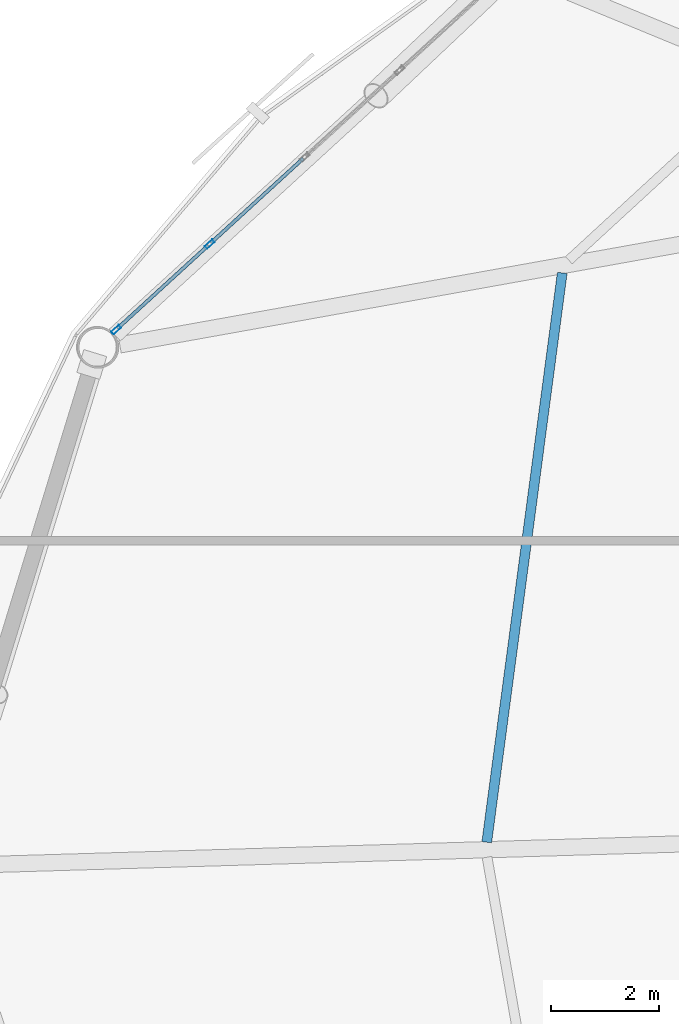
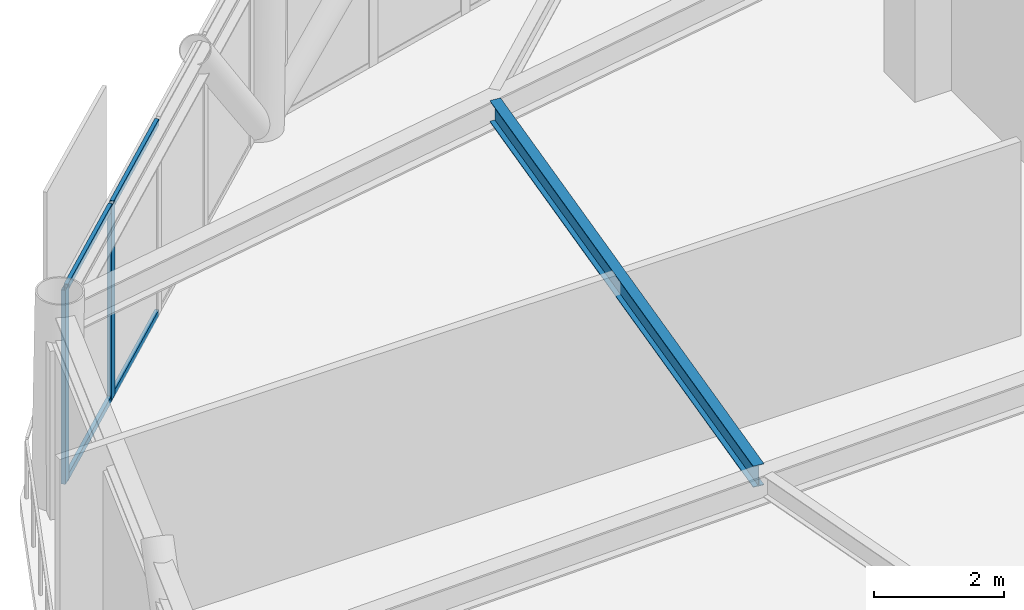
# One storey, part 12 of 27: 6 members, 1 beam, 1 element without a shape of its own.
"""IFC4 building model written with IfcOpenShell, lengths in metres."""

import ifcopenshell
import ifcopenshell.guid

model = None  # the IFC model being written
_history = None  # IfcOwnerHistory: only IFC2X3 demands one
_inside = {}  # id of a spatial element -> (the spatial element, [elements in it])
_under = {}  # id of a project, library or spatial element -> (it, [spatial elements below it])
_declared = {}  # id of a project -> (the project, [libraries it declares])
_typed = {}  # id of a type object -> (the type object, [elements of that type])
_made_of = {}  # id of a material, layer set ... -> (it, [elements and type objects made of it])


def new_model(schema):
    """Start an empty IFC model of exactly this schema.

    Asked for "IFC4X3", IfcOpenShell would pick the latest addendum, in which some entities
    have other attributes; the version numbers below select the first issue.
    IFC2X3 requires an IfcOwnerHistory on every rooted entity: one is made here for all.
    """
    global model, _history
    if schema == "IFC4X3":
        model = ifcopenshell.file(schema_version=(4, 3, 0, 0))
    else:
        model = ifcopenshell.file(schema=schema)
    _inside.clear()
    _under.clear()
    _declared.clear()
    _typed.clear()
    _made_of.clear()
    _history = None
    if model.schema == "IFC2X3":
        org = make("IfcOrganization", Name="unknown")
        user = make(
            "IfcPersonAndOrganization",
            ThePerson=make("IfcPerson", FamilyName="unknown"),
            TheOrganization=org,
        )
        app = make(
            "IfcApplication",
            ApplicationDeveloper=org,
            Version="unknown",
            ApplicationFullName="unknown",
            ApplicationIdentifier="unknown",
        )
        _history = make(
            "IfcOwnerHistory",
            OwningUser=user,
            OwningApplication=app,
            ChangeAction="ADDED",
            CreationDate=0,
        )
    return model


def make(cls, **values):
    """One entity of the class cls with the attributes given. An attribute that is None is left unset."""
    return model.create_entity(
        cls, **{name: value for name, value in values.items() if value is not None}
    )


def rooted(cls, **values):
    """An entity with a GlobalId (a new one), such as an element, a storey or a relation."""
    return make(cls, GlobalId=ifcopenshell.guid.new(), OwnerHistory=_history, **values)


def si_unit(unit_type, name, prefix=None):
    """IfcSIUnit, for example si_unit("LENGTHUNIT", "METRE", prefix="MILLI")."""
    return make("IfcSIUnit", UnitType=unit_type, Prefix=prefix, Name=name)


def assignment(units):
    """IfcUnitAssignment: the units of a project."""
    return None if units is None else make("IfcUnitAssignment", Units=units)


def point(xyz):
    """IfcCartesianPoint."""
    return None if xyz is None else make("IfcCartesianPoint", Coordinates=xyz)


def direction(xyz):
    """IfcDirection."""
    return None if xyz is None else make("IfcDirection", DirectionRatios=xyz)


def frame(location, z_axis=None, x_axis=None):
    """IfcAxis2Placement3D, a coordinate frame: its origin and axes. An axis left out is left unset."""
    return make(
        "IfcAxis2Placement3D",
        Location=point(location),
        Axis=direction(z_axis),
        RefDirection=direction(x_axis),
    )


def frame_2d(location, x_axis=None):
    """IfcAxis2Placement2D, a coordinate frame in the plane: its origin and x axis."""
    return make(
        "IfcAxis2Placement2D", Location=point(location), RefDirection=direction(x_axis)
    )


def origin():
    """The frame at (0, 0, 0) with its axes left unset."""
    return frame((0.0, 0.0, 0.0))


def origin_2d():
    """The frame at (0, 0) in the plane with its x axis left unset."""
    return frame_2d((0.0, 0.0))


def place(relative_to, where):
    """IfcLocalPlacement: puts the frame where relative to a parent placement (None: the world)."""
    return make(
        "IfcLocalPlacement", PlacementRelTo=relative_to, RelativePlacement=where
    )


def context(
    kind, dimensions, precision=None, world=None, true_north=None, identifier=None
):
    """IfcGeometricRepresentationContext, for example the 3D "Model" context."""
    return make(
        "IfcGeometricRepresentationContext",
        ContextIdentifier=identifier,
        ContextType=kind,
        CoordinateSpaceDimension=dimensions,
        Precision=precision,
        WorldCoordinateSystem=world,
        TrueNorth=true_north,
    )


def subcontext(parent, identifier, kind, view, scale=None):
    """IfcGeometricRepresentationSubContext, for example "Body" below "Model"."""
    return make(
        "IfcGeometricRepresentationSubContext",
        ContextIdentifier=identifier,
        ContextType=kind,
        ParentContext=parent,
        TargetScale=scale,
        TargetView=view,
    )


def project(units=None, contexts=None):
    """IfcProject with its units and contexts."""
    return rooted(
        "IfcProject",
        Name="project",
        RepresentationContexts=contexts,
        UnitsInContext=assignment(units),
    )


def spatial(cls, under=None, at=None, **own):
    """A site, building, storey or space (cls), placed at a placement, below another one or the project."""
    s = rooted(cls, ObjectPlacement=at, **own)
    if under is not None:
        _under.setdefault(under.id(), (under, []))[1].append(s)
    return s


def profile(cls, at=None, kind="AREA", **sizes):
    """A parametric profile (cls). Its sizes go by their IFC names, for example OverallWidth=200.0."""
    return make(cls, ProfileType=kind, Position=at, **sizes)


def hollow_rectangle(**sizes):
    """IfcRectangleHollowProfileDef."""
    return profile("IfcRectangleHollowProfileDef", **sizes)


def i_section(**sizes):
    """IfcIShapeProfileDef."""
    return profile("IfcIShapeProfileDef", **sizes)


def extrude(swept, where, along, depth):
    """IfcExtrudedAreaSolid: the profile swept, set in the frame where, extruded along a direction by depth."""
    return make(
        "IfcExtrudedAreaSolid",
        SweptArea=swept,
        Position=where,
        ExtrudedDirection=direction(along),
        Depth=depth,
    )


def shape(context_of_items, identifier, shape_type, items):
    """IfcShapeRepresentation: the items that make up one representation, for example the "Body"."""
    return make(
        "IfcShapeRepresentation",
        ContextOfItems=context_of_items,
        RepresentationIdentifier=identifier,
        RepresentationType=shape_type,
        Items=items,
    )


def material(Name=None, Category=None):
    """IfcMaterial."""
    return make("IfcMaterial", Name=Name, Category=Category)


def layer(
    of_material, thickness, ventilated=None, Name=None, Category=None, Priority=None
):
    """IfcMaterialLayer: one layer of a wall or slab, of a material (None: an air gap)."""
    return make(
        "IfcMaterialLayer",
        Material=of_material,
        LayerThickness=thickness,
        IsVentilated=ventilated,
        Name=Name,
        Category=Category,
        Priority=Priority,
    )


def layer_set(layers, Name=None):
    """IfcMaterialLayerSet."""
    return make("IfcMaterialLayerSet", MaterialLayers=layers, LayerSetName=Name)


def material_profile(
    of_material, cross_section, Name=None, Category=None, Priority=None
):
    """IfcMaterialProfile: a cross section and its material."""
    return make(
        "IfcMaterialProfile",
        Name=Name,
        Material=of_material,
        Profile=cross_section,
        Priority=Priority,
        Category=Category,
    )


def profile_set(profiles, Name=None, composite=None):
    """IfcMaterialProfileSet."""
    return make(
        "IfcMaterialProfileSet",
        Name=Name,
        MaterialProfiles=profiles,
        CompositeProfile=composite,
    )


def made_of(thing, what):
    """Note that an element or type object is made of a material, layer set ...; save() writes the relation."""
    if what is not None:
        _made_of.setdefault(what.id(), (what, []))[1].append(thing)
    return thing


def type_object(cls, material=None, **own):
    """A type object (cls), such as IfcWallType, which elements share."""
    return made_of(rooted(cls, **own), material)


def element(
    cls,
    number,
    at=None,
    inside=None,
    cuts=None,
    type_object=None,
    material=None,
    context=None,
    identifier="Body",
    shape_type=None,
    held_by="IfcProductDefinitionShape",
    body=None,
    shapes=None,
    **own,
):
    """One element of the class cls, such as IfcWall. Its Tag is "e" and its number.

    at: its placement. inside: the storey or other place that contains it. cuts: it is an
    opening in that element (IfcRelVoidsElement). A single representation is given by context,
    identifier, shape_type and body (its items); several are given by shapes. held_by: the class
    of the entity that holds the representations. save() writes the other relations.
    """
    e = rooted(cls, Tag="e%d" % number, ObjectPlacement=at, **own)
    if body is not None:
        shapes = [shape(context, identifier, shape_type, body)]
    if shapes is not None:
        e.Representation = make(held_by, Representations=shapes)
    if inside is not None:
        _inside.setdefault(inside.id(), (inside, []))[1].append(e)
    if cuts is not None:
        rooted(
            "IfcRelVoidsElement", RelatingBuildingElement=cuts, RelatedOpeningElement=e
        )
    if type_object is not None:
        _typed.setdefault(type_object.id(), (type_object, []))[1].append(e)
    return made_of(e, material)


def aggregate(whole, parts):
    """IfcRelAggregates: a whole, such as a stair, and the parts it consists of."""
    return rooted("IfcRelAggregates", RelatingObject=whole, RelatedObjects=parts)


def save(model, path):
    """Write the relations noted so far, then the file.

    IfcRelAggregates (storeys below a building ...), IfcRelContainedInSpatialStructure (elements
    in a storey), IfcRelDefinesByType, IfcRelAssociatesMaterial and IfcRelDeclares: one each for
    every whole, place, type object, material and project.
    """
    for whole, parts in _under.values():
        aggregate(whole, parts)
    for where, things in _inside.values():
        rooted(
            "IfcRelContainedInSpatialStructure",
            RelatedElements=things,
            RelatingStructure=where,
        )
    for kind, things in _typed.values():
        rooted("IfcRelDefinesByType", RelatedObjects=things, RelatingType=kind)
    for what, things in _made_of.values():
        rooted("IfcRelAssociatesMaterial", RelatedObjects=things, RelatingMaterial=what)
    for by, libraries in _declared.values():
        rooted("IfcRelDeclares", RelatingContext=by, RelatedDefinitions=libraries)
    model.write(path)


model = new_model("IFC4")

# Units and contexts
model_context = context("Model", 3, precision=1e-05, world=origin(), true_north=direction((0.0, 1.0)))
body_context = subcontext(model_context, "Body", "Model", "MODEL_VIEW")
ifc_project = project(units=[si_unit("LENGTHUNIT", "METRE"), si_unit("AREAUNIT", "SQUARE_METRE"), si_unit("VOLUMEUNIT", "CUBIC_METRE"), si_unit("PLANEANGLEUNIT", "RADIAN"), si_unit("MASSUNIT", "GRAM", prefix="KILO")], contexts=[model_context])

# Site, building, storey
site_placement = place(None, origin())
site = spatial("IfcSite", under=ifc_project, at=site_placement, CompositionType="ELEMENT")
building_placement = place(site_placement, origin())
building = spatial("IfcBuilding", under=site, at=building_placement, Name="Varnakorn Sky Granary", CompositionType="ELEMENT")
storey_placement = place(building_placement, frame((0.0, 0.0, 134.39990234375)))
storey = spatial("IfcBuildingStorey", under=building, at=storey_placement, Name="L33", CompositionType="ELEMENT", Elevation=134.39990234375)

# Beam
ifc_material_1 = material(Name="Steel S355JR", Category="steel")
ifc_material_profile_1 = material_profile(ifc_material_1, i_section(OverallWidth=0.179931640625, OverallDepth=0.39990234375, WebThickness=0.008544921875, FlangeThickness=0.013427734375, at=origin_2d()), Name="IPE 400")
ifc_profile_set_1 = profile_set([ifc_material_profile_1], Name="Steel S355JR")
beam_type = type_object("IfcBeamType", Name="BM-SEC-Z3", PredefinedType="BEAM", material=ifc_profile_set_1)
beam_placement = place(storey_placement, frame((-11.032470703125, 10.9404296875, 3.440185546875), z_axis=(-0.131445183522, -0.991323440522, 0.0), x_axis=(0.991323440522, -0.131445183522, 0.0)))
element("IfcBeam", 1, at=beam_placement, inside=storey, type_object=beam_type, Name="Secondary Floor Chord Beam MSB06 L33", PredefinedType="BEAM", context=body_context, shape_type="SweptSolid", body=[
    extrude(i_section(OverallWidth=0.179931640625, OverallDepth=0.39990234375, WebThickness=0.008544921875, FlangeThickness=0.013427734375, at=origin_2d()), origin(), (0.0, 0.0, 1.0), 10.594482421875),
])

# Curtain wall, members
ifc_material_2 = material(Name="Anodised Bronze Aluminium Alloy 6063-T6", Category="aluminium")
ifc_layer = layer(ifc_material_2, 0.179931640625, Name="Anodised Bronze Aluminium Alloy 6063-T6")
ifc_layer_set = layer_set([ifc_layer], Name="Anodised Bronze Aluminium Alloy 6063-T6")
curtain_wall_type = type_object("IfcCurtainWallType", Name="CW-FRM-2", PredefinedType="USERDEFINED", material=ifc_layer_set)
curtain_wall_placement = place(storey_placement, origin())
curtain_wall = element("IfcCurtainWall", 2, at=curtain_wall_placement, inside=storey, type_object=curtain_wall_type, Name="Unitised Curtain Wall CW4 CW-L33-B05", ObjectType="CURTAIN WALL", PredefinedType="USERDEFINED")
ifc_material_profile_2 = material_profile(ifc_material_2, hollow_rectangle(XDim=0.070068359375, YDim=0.18505859375, WallThickness=0.00390625, at=origin_2d()), Name="ALU MULL 70x185")
ifc_profile_set_2 = profile_set([ifc_material_profile_2], Name="Anodised Bronze Aluminium Alloy 6063-T6")
member_type_1 = type_object("IfcMemberType", Name="CW-FRM-2-MULL", PredefinedType="MULLION", material=ifc_profile_set_2)
member_1_placement = place(storey_placement, frame((-19.26171875, 9.893310546875, 0.0), z_axis=(0.0, 0.0, 1.0), x_axis=(-0.675182733871, 0.737650510664, 0.0)))
member_1 = element("IfcMember", 3, at=member_1_placement, type_object=member_type_1, Name="CW4 mullion 1", PredefinedType="MULLION", context=body_context, shape_type="SweptSolid", body=[
    extrude(hollow_rectangle(XDim=0.070068359375, YDim=0.18505859375, WallThickness=0.00390625, at=origin_2d()), origin(), (0.0, 0.0, 1.0), 3.64013671875),
])
member_2_placement = place(storey_placement, frame((-17.536376953125, 11.47265625, 0.0), z_axis=(0.0, 0.0, 1.0), x_axis=(-0.675182733871, 0.737650510664, 0.0)))
member_2 = element("IfcMember", 4, at=member_2_placement, type_object=member_type_1, Name="CW4 mullion 2", PredefinedType="MULLION", context=body_context, shape_type="SweptSolid", body=[
    extrude(hollow_rectangle(XDim=0.070068359375, YDim=0.18505859375, WallThickness=0.00390625, at=origin_2d()), origin(), (0.0, 0.0, 1.0), 3.64013671875),
])
ifc_material_profile_3 = material_profile(ifc_material_2, hollow_rectangle(XDim=0.06494140625, YDim=0.1201171875, WallThickness=0.00341796875, at=origin_2d()), Name="ALU TRAN 65x120")
ifc_profile_set_3 = profile_set([ifc_material_profile_3], Name="Anodised Bronze Aluminium Alloy 6063-T6")
member_type_2 = type_object("IfcMemberType", Name="CW-FRM-2-TRAN", PredefinedType="USERDEFINED", material=ifc_profile_set_3)
member_3_placement = place(storey_placement, frame((-19.236083984375, 9.9169921875, 0.03271484375), z_axis=(0.737672004094, 0.675159251122, 0.0), x_axis=(-0.675159251122, 0.737672004094, 0.0)))
member_3 = element("IfcMember", 5, at=member_3_placement, type_object=member_type_2, Name="CW4 transom 1.1", ObjectType="TRANSOM", PredefinedType="USERDEFINED", context=body_context, shape_type="SweptSolid", body=[
    extrude(hollow_rectangle(XDim=0.06494140625, YDim=0.1201171875, WallThickness=0.00341796875, at=origin_2d()), origin(), (0.0, 0.0, 1.0), 2.26904296875),
])
member_4_placement = place(storey_placement, frame((-19.236083984375, 9.9169921875, 3.607666015625), z_axis=(0.737672004094, 0.675159251122, 0.0), x_axis=(-0.675159251122, 0.737672004094, 0.0)))
member_4 = element("IfcMember", 6, at=member_4_placement, type_object=member_type_2, Name="CW4 transom 1.2", ObjectType="TRANSOM", PredefinedType="USERDEFINED", context=body_context, shape_type="SweptSolid", body=[
    extrude(hollow_rectangle(XDim=0.06494140625, YDim=0.1201171875, WallThickness=0.00341796875, at=origin_2d()), origin(), (0.0, 0.0, 1.0), 2.26904296875),
])
member_5_placement = place(storey_placement, frame((-17.510498046875, 11.496337890625, 0.03271484375), z_axis=(0.737624607375, 0.675211032638, 0.0), x_axis=(-0.675211032638, 0.737624607375, 0.0)))
member_5 = element("IfcMember", 7, at=member_5_placement, type_object=member_type_2, Name="CW4 transom 2.1", ObjectType="TRANSOM", PredefinedType="USERDEFINED", context=body_context, shape_type="SweptSolid", body=[
    extrude(hollow_rectangle(XDim=0.06494140625, YDim=0.1201171875, WallThickness=0.00341796875, at=origin_2d()), origin(), (0.0, 0.0, 1.0), 2.303955078125),
])
member_6_placement = place(storey_placement, frame((-17.510498046875, 11.496337890625, 3.607666015625), z_axis=(0.737624607375, 0.675211032638, 0.0), x_axis=(-0.675211032638, 0.737624607375, 0.0)))
member_6 = element("IfcMember", 8, at=member_6_placement, type_object=member_type_2, Name="CW4 transom 2.2", ObjectType="TRANSOM", PredefinedType="USERDEFINED", context=body_context, shape_type="SweptSolid", body=[
    extrude(hollow_rectangle(XDim=0.06494140625, YDim=0.1201171875, WallThickness=0.00341796875, at=origin_2d()), origin(), (0.0, 0.0, 1.0), 2.303955078125),
])
aggregate(curtain_wall, [member_1, member_2, member_3, member_4, member_5, member_6])

save(model, "model.ifc")
